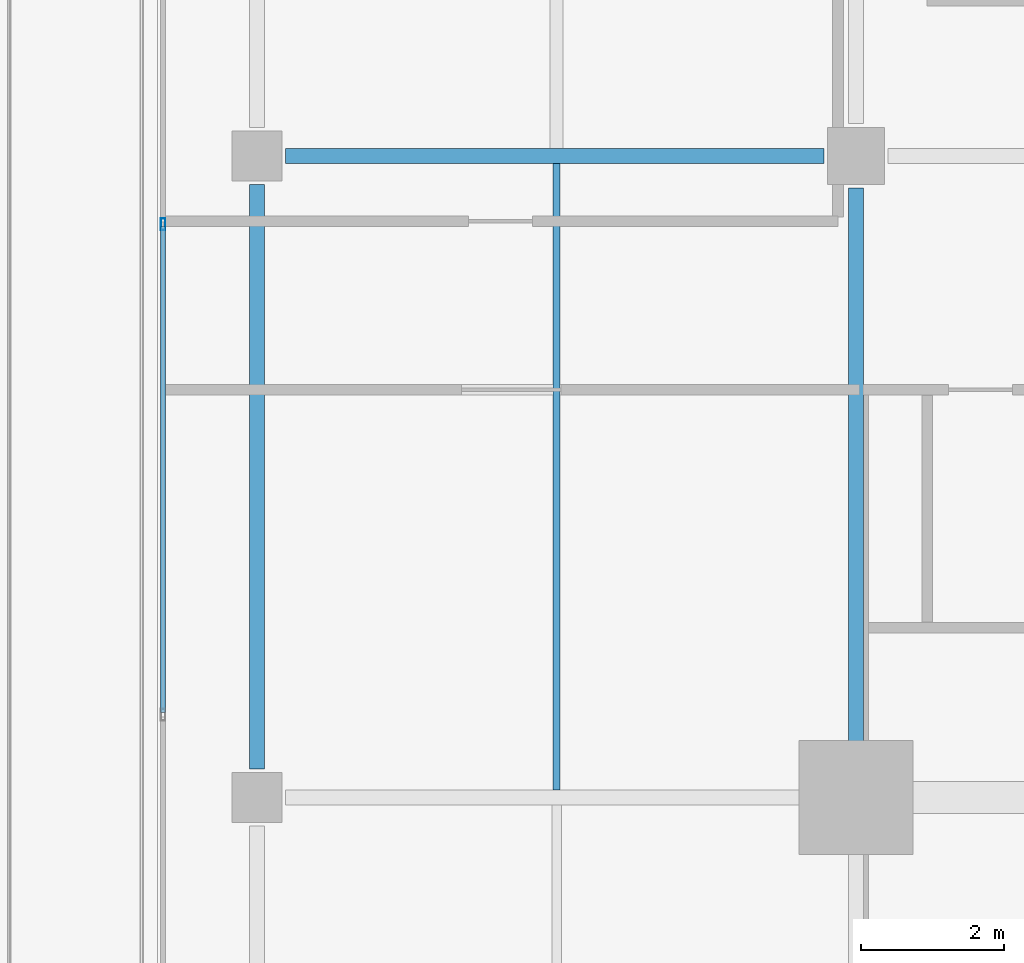
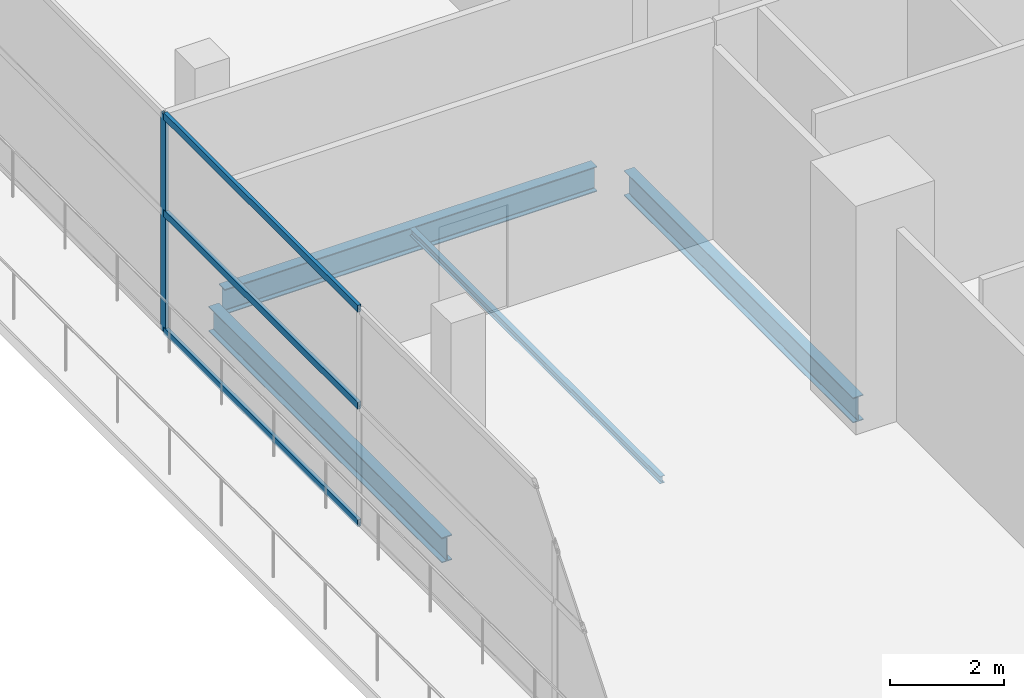
# One storey, part 7 of 28: 4 beams, 4 members, 1 element without a shape of its own.
"""IFC4 building model written with IfcOpenShell, lengths in metres."""

from ifc_helpers import new_model, si_unit, direction, frame, origin, origin_2d, place, context, subcontext, project, spatial, hollow_rectangle, i_section, extrude, material, layer, layer_set, material_profile, profile_set, type_object, element, aggregate, save


model = new_model("IFC4")

# Units and contexts
model_context = context("Model", 3, precision=1e-05, world=origin(), true_north=direction((0.0, 1.0)))
body_context = subcontext(model_context, "Body", "Model", "MODEL_VIEW")
ifc_project = project(units=[si_unit("LENGTHUNIT", "METRE"), si_unit("AREAUNIT", "SQUARE_METRE"), si_unit("VOLUMEUNIT", "CUBIC_METRE"), si_unit("PLANEANGLEUNIT", "RADIAN"), si_unit("MASSUNIT", "GRAM", prefix="KILO")], contexts=[model_context])

# Site, building, storey
site_placement = place(None, origin())
site = spatial("IfcSite", under=ifc_project, at=site_placement, CompositionType="ELEMENT")
building_placement = place(site_placement, origin())
building = spatial("IfcBuilding", under=site, at=building_placement, Name="Maruvema Waterfront Hotel and Observation Tower", CompositionType="ELEMENT")
storey_placement = place(building_placement, frame((0.0, 0.0, 234.5)))
storey = spatial("IfcBuildingStorey", under=building, at=storey_placement, Name="L57", CompositionType="ELEMENT", Elevation=234.5)

# Curtain wall, members
ifc_material_1 = material(Name="Anodised bronze aluminium and solar-control low-E IGU", Category="aluminium")
ifc_layer = layer(ifc_material_1, 0.159912109375, Name="Zone 3 Champagne Inner Thermal Curtain Wall System CW-04")
ifc_layer_set = layer_set([ifc_layer], Name="Anodised bronze aluminium and solar-control low-E IGU")
curtain_wall_type = type_object("IfcCurtainWallType", Name="Zone 3 Champagne Inner Thermal Curtain Wall System CW-04", PredefinedType="USERDEFINED", material=ifc_layer_set)
curtain_wall_placement = place(storey_placement, origin())
curtain_wall = element("IfcCurtainWall", 1, at=curtain_wall_placement, inside=storey, type_object=curtain_wall_type, Name="L57 Curtain Wall CW-L57-W", ObjectType="UNITISED CURTAIN WALL", PredefinedType="USERDEFINED")
ifc_material_2 = material(Name="Anodised architectural bronze aluminium", Category="aluminium")
ifc_material_profile_1 = material_profile(ifc_material_2, hollow_rectangle(XDim=0.070068359375, YDim=0.14990234375, WallThickness=0.00390625, at=origin_2d()), Name="ALU-T70x150")
ifc_profile_set_1 = profile_set([ifc_material_profile_1], Name="Anodised architectural bronze aluminium")
member_type_1 = type_object("IfcMemberType", Name="Curtain Wall Horizontal Transom ALU-T70x150", PredefinedType="USERDEFINED", material=ifc_profile_set_1)
member_1_placement = place(storey_placement, frame((15.47998046875, 35.010009765625, 0.030029296875), z_axis=(0.0, -1.0, 0.0), x_axis=(1.0, 0.0, 0.0)))
member_1 = element("IfcMember", 2, at=member_1_placement, type_object=member_type_1, Name="CW-04 transom 3.1", ObjectType="TRANSOM", PredefinedType="USERDEFINED", context=body_context, shape_type="SweptSolid", body=[
    extrude(hollow_rectangle(XDim=0.070068359375, YDim=0.14990234375, WallThickness=0.00390625, at=origin_2d()), origin(), (0.0, 0.0, 1.0), 6.820068359375),
])
member_2_placement = place(storey_placement, frame((15.47998046875, 35.010009765625, 2.550048828125), z_axis=(0.0, -1.0, 0.0), x_axis=(1.0, 0.0, 0.0)))
member_2 = element("IfcMember", 3, at=member_2_placement, type_object=member_type_1, Name="CW-04 transom 3.2", ObjectType="TRANSOM", PredefinedType="USERDEFINED", context=body_context, shape_type="SweptSolid", body=[
    extrude(hollow_rectangle(XDim=0.070068359375, YDim=0.14990234375, WallThickness=0.00390625, at=origin_2d()), origin(), (0.0, 0.0, 1.0), 6.820068359375),
])
member_3_placement = place(storey_placement, frame((15.47998046875, 35.010009765625, 4.6298828125), z_axis=(0.0, -1.0, 0.0), x_axis=(1.0, 0.0, 0.0)))
member_3 = element("IfcMember", 4, at=member_3_placement, type_object=member_type_1, Name="CW-04 transom 3.3", ObjectType="TRANSOM", PredefinedType="USERDEFINED", context=body_context, shape_type="SweptSolid", body=[
    extrude(hollow_rectangle(XDim=0.070068359375, YDim=0.14990234375, WallThickness=0.00390625, at=origin_2d()), origin(), (0.0, 0.0, 1.0), 6.820068359375),
])
ifc_material_3 = material(Name="Anodised architectural bronze aluminium", Category="aluminium")
ifc_material_profile_2 = material_profile(ifc_material_3, hollow_rectangle(XDim=0.06494140625, YDim=0.1650390625, WallThickness=0.00390625, at=origin_2d()), Name="ALU-M65x165")
ifc_profile_set_2 = profile_set([ifc_material_profile_2], Name="Anodised architectural bronze aluminium")
member_type_2 = type_object("IfcMemberType", Name="Curtain Wall Primary Mullion ALU-M65x165", PredefinedType="MULLION", material=ifc_profile_set_2)
member_4_placement = place(storey_placement, frame((15.47998046875, 35.0400390625, 0.0), z_axis=(0.0, 0.0, 1.0), x_axis=(1.0, 0.0, 0.0)))
member_4 = element("IfcMember", 5, at=member_4_placement, type_object=member_type_2, Name="CW-04 mullion 3", PredefinedType="MULLION", context=body_context, shape_type="SweptSolid", body=[
    extrude(hollow_rectangle(XDim=0.06494140625, YDim=0.1650390625, WallThickness=0.00390625, at=origin_2d()), origin(), (0.0, 0.0, 1.0), 4.659912109375),
])
aggregate(curtain_wall, [member_4, member_1, member_2, member_3])

# Beams
ifc_material_4 = material(Name="Steel ASTM A572 Grade 50", Category="steel")
ifc_material_profile_3 = material_profile(ifc_material_4, i_section(OverallWidth=0.2109375, OverallDepth=0.5390625, WebThickness=0.01171875, FlangeThickness=0.018798828125, FilletRadius=0.014892578125, at=origin_2d()), Name="W530x109.0")
ifc_profile_set_3 = profile_set([ifc_material_profile_3], Name="Steel ASTM A572 Grade 50")
beam_type_1 = type_object("IfcBeamType", Name="Primary Floor Girder W530x109.0", PredefinedType="BEAM", material=ifc_profile_set_3)
beam_1_placement = place(storey_placement, frame((17.199951171875, 36.0, -0.509521484375), z_axis=(1.0, 0.0, 0.0), x_axis=(0.0, 1.0, 0.0)))
element("IfcBeam", 6, at=beam_1_placement, inside=storey, type_object=beam_type_1, Name="L57 Floor Girder EW-09", PredefinedType="BEAM", context=body_context, shape_type="SweptSolid", body=[
    extrude(i_section(OverallWidth=0.2109375, OverallDepth=0.5390625, WebThickness=0.01171875, FlangeThickness=0.018798828125, FilletRadius=0.014892578125, at=origin_2d()), origin(), (0.0, 0.0, 1.0), 7.550048828125),
])
beam_2_placement = place(storey_placement, frame((16.800048828125, 27.39990234375, -0.509521484375), z_axis=(0.0, 1.0, 0.0), x_axis=(-1.0, 0.0, 0.0)))
element("IfcBeam", 7, at=beam_2_placement, inside=storey, type_object=beam_type_1, Name="L57 Floor Girder NS-02", PredefinedType="BEAM", context=body_context, shape_type="SweptSolid", body=[
    extrude(i_section(OverallWidth=0.2109375, OverallDepth=0.5390625, WebThickness=0.01171875, FlangeThickness=0.018798828125, FilletRadius=0.014892578125, at=origin_2d()), origin(), (0.0, 0.0, 1.0), 8.2001953125),
])
beam_3_placement = place(storey_placement, frame((25.199951171875, 27.5, -0.509521484375), z_axis=(0.0, 1.0, 0.0), x_axis=(-1.0, 0.0, 0.0)))
element("IfcBeam", 8, at=beam_3_placement, inside=storey, type_object=beam_type_1, Name="L57 Floor Girder NS-05", PredefinedType="BEAM", context=body_context, shape_type="SweptSolid", body=[
    extrude(i_section(OverallWidth=0.2109375, OverallDepth=0.5390625, WebThickness=0.01171875, FlangeThickness=0.018798828125, FilletRadius=0.014892578125, at=origin_2d()), origin(), (0.0, 0.0, 1.0), 8.050048828125),
])
ifc_material_5 = material(Name="Steel ASTM A572 Grade 50", Category="steel")
ifc_material_profile_4 = material_profile(ifc_material_5, i_section(OverallWidth=0.10009765625, OverallDepth=0.153076171875, WebThickness=0.005859375, FlangeThickness=0.007080078125, FilletRadius=0.008056640625, at=origin_2d()), Name="W150x18.0")
ifc_profile_set_4 = profile_set([ifc_material_profile_4], Name="Steel ASTM A572 Grade 50")
beam_type_2 = type_object("IfcBeamType", Name="Secondary Floor Joist W150x18.0", PredefinedType="JOIST", material=ifc_profile_set_4)
beam_4_placement = place(storey_placement, frame((21.0, 27.10546875, -0.31640625), z_axis=(0.0, 1.0, 0.0), x_axis=(-1.0, 0.0, 0.0)))
element("IfcBeam", 9, at=beam_4_placement, inside=storey, type_object=beam_type_2, Name="L57 Secondary Floor Joist JS-02", PredefinedType="JOIST", context=body_context, shape_type="SweptSolid", body=[
    extrude(i_section(OverallWidth=0.10009765625, OverallDepth=0.153076171875, WebThickness=0.005859375, FlangeThickness=0.007080078125, FilletRadius=0.008056640625, at=origin_2d()), origin(), (0.0, 0.0, 1.0), 8.7890625),
])

save(model, "model.ifc")
